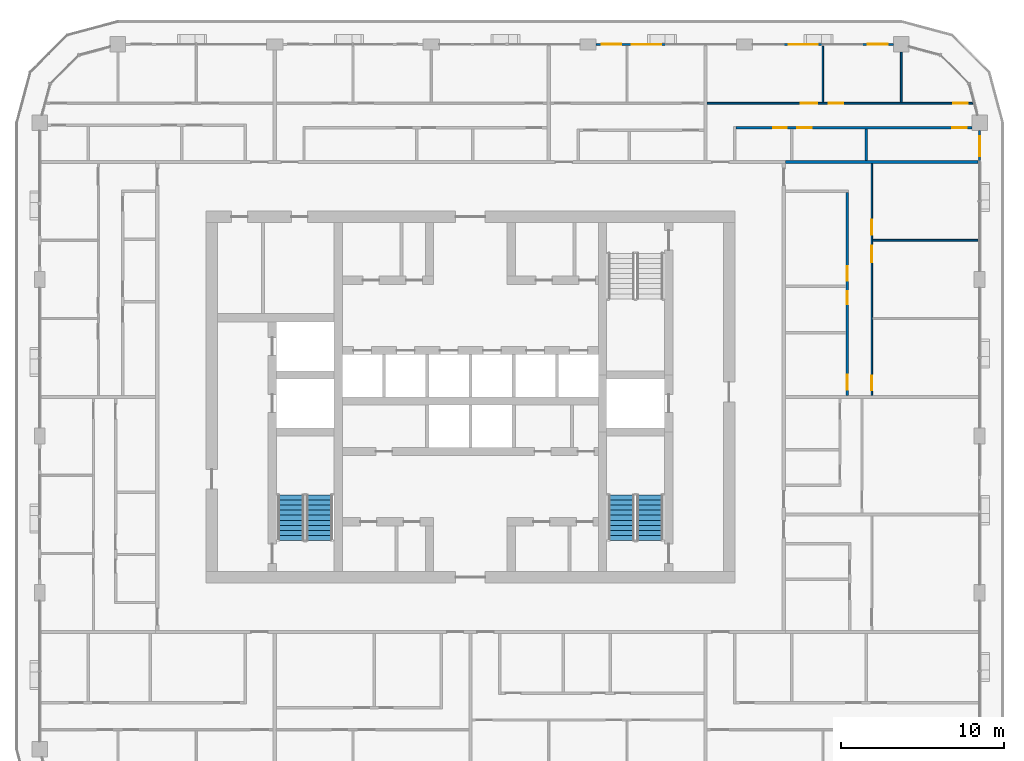
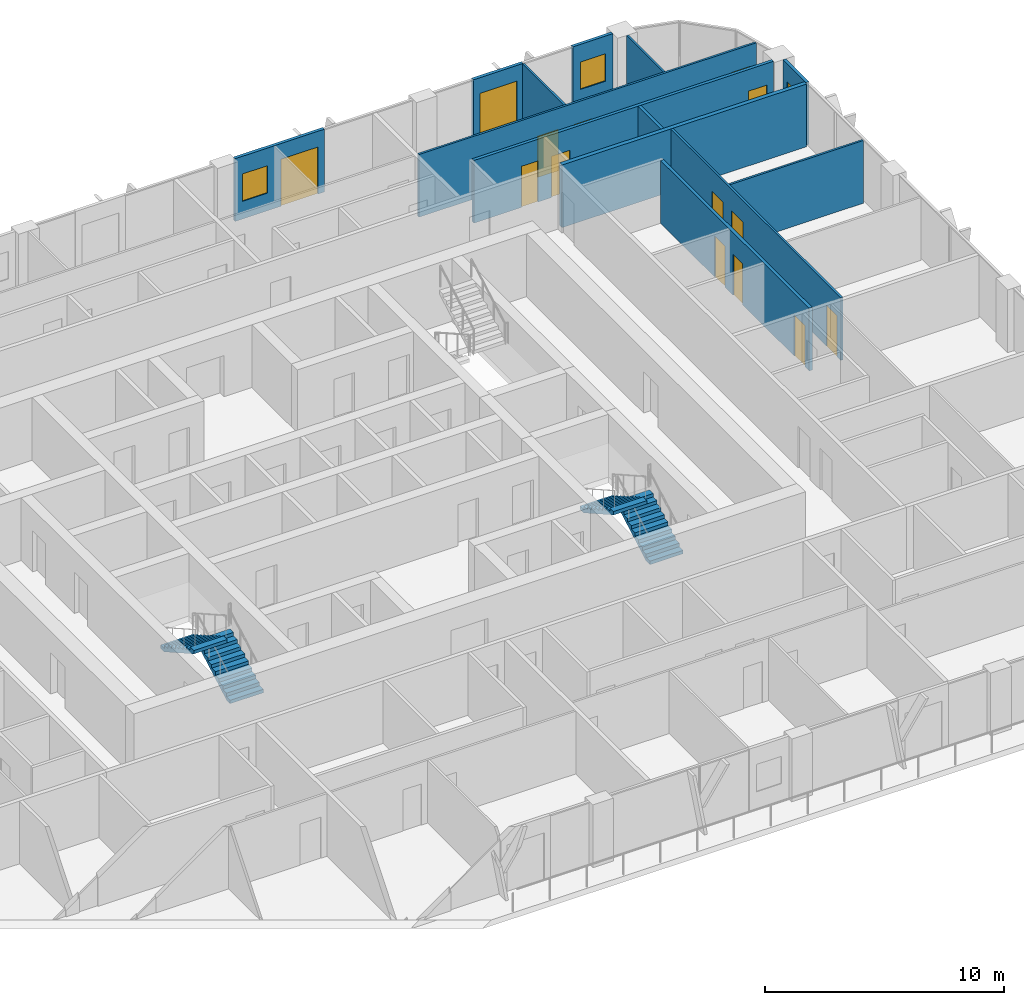
# One storey, part 15 of 22: 14 doors, 13 walls, 4 stair flights, 3 windows, 17 openings, 2 elements without a shape of their own.
"""IFC4 building model written with IfcOpenShell, lengths in metres."""

from ifc_helpers import new_model, si_unit, direction, frame, frame_2d, origin, place, context, subcontext, project, spatial, polyline, rectangle, outline, extrude, material, layer, layer_set, type_object, element, fill, aggregate, save


model = new_model("IFC4")

# Units and contexts
model_context = context("Model", 3, precision=1e-05, world=origin(), true_north=direction((0.0, 1.0)))
body_context = subcontext(model_context, "Body", "Model", "MODEL_VIEW")
ifc_project = project(units=[si_unit("LENGTHUNIT", "METRE"), si_unit("AREAUNIT", "SQUARE_METRE"), si_unit("VOLUMEUNIT", "CUBIC_METRE"), si_unit("PLANEANGLEUNIT", "RADIAN"), si_unit("MASSUNIT", "GRAM", prefix="KILO")], contexts=[model_context])

# Site, building, storey
site_placement = place(None, origin())
site = spatial("IfcSite", under=ifc_project, at=site_placement, CompositionType="ELEMENT")
building_placement = place(site_placement, origin())
building = spatial("IfcBuilding", under=site, at=building_placement, Name="Madar Terraces", CompositionType="ELEMENT")
storey_placement = place(building_placement, frame((0.0, 0.0, 192.89990234375)))
storey = spatial("IfcBuildingStorey", under=building, at=storey_placement, Name="L50", CompositionType="ELEMENT", Elevation=192.89990234375)

# Wall, opening, window
ifc_material_1 = material(Name="Aluminium composite panel, black, over insulated backing", Category="aluminium")
ifc_layer_1 = layer(ifc_material_1, 0.14990234375)
ifc_layer_set_1 = layer_set([ifc_layer_1], Name="Facade bay panel 150")
wall_type_1 = type_object("IfcWallType", Name="Facade bay panel 150", PredefinedType="SOLIDWALL", material=ifc_layer_set_1)
wall_1_placement = place(storey_placement, frame((62.39990234375, 40.800048828125, 0.0), z_axis=(0.0, 0.0, 1.0), x_axis=(0.0, 1.0, 0.0)))
wall_1 = element("IfcWall", 1, at=wall_1_placement, inside=storey, type_object=wall_type_1, Name="Facade bay panel", PredefinedType="SOLIDWALL", context=body_context, shape_type="SweptSolid", body=[
    extrude(rectangle(XDim=1.925048828125, YDim=0.14990234375, at=frame_2d((0.96240234375, 0.0))), origin(), (0.0, 0.0, 1.0), 3.2001953125),
])
opening_1_placement = place(wall_1_placement, frame((0.362548828125, 0.0, 0.89990234375)))
opening_1 = element("IfcOpeningElement", 2, at=opening_1_placement, cuts=wall_1, Name="Opening W1", PredefinedType="OPENING", context=body_context, shape_type="SweptSolid", body=[
    extrude(rectangle(XDim=1.199951171875, YDim=1.39990234375, at=frame_2d((0.60009765625, 0.699951171875))), frame((0.0, 0.0849609375, 0.0), z_axis=(0.0, -1.0, 0.0), x_axis=(1.0, 0.0, 0.0)), (0.0, 0.0, 1.0), 0.169921875),
])
ifc_material_2 = material(Name="Glass, clear, with black aluminium frame", Category="aluminium")
window_type = type_object("IfcWindowType", Name="Vent window 1200 x 1400", PartitioningType="SINGLE_PANEL", PredefinedType="WINDOW", material=ifc_material_2)
window_1_placement = place(opening_1_placement, origin())
window_1 = element("IfcWindow", 3, at=window_1_placement, inside=storey, type_object=window_type, Name="Operable vent window", OverallHeight=1.39990234375, OverallWidth=1.199951171875, PartitioningType="SINGLE_PANEL", PredefinedType="WINDOW", context=body_context, shape_type="SweptSolid", body=[
    extrude(rectangle(XDim=1.199951171875, YDim=1.39990234375, at=frame_2d((0.60009765625, 0.699951171875))), frame((0.0, 0.030029296875, 0.0), z_axis=(0.0, -1.0, 0.0), x_axis=(1.0, 0.0, 0.0)), (0.0, 0.0, 1.0), 0.06005859375),
])
fill(opening_1, window_1)

wall_2_placement = place(storey_placement, frame((57.125, 48.0, 0.0), z_axis=(0.0, 0.0, 1.0), x_axis=(-1.0, 0.0, 0.0)))
wall_2 = element("IfcWall", 4, at=wall_2_placement, inside=storey, type_object=wall_type_1, Name="Facade bay panel", PredefinedType="SOLIDWALL", context=body_context, shape_type="SweptSolid", body=[
    extrude(rectangle(XDim=1.925048828125, YDim=0.14990234375, at=frame_2d((0.96240234375, 0.0))), origin(), (0.0, 0.0, 1.0), 3.2001953125),
])
opening_2_placement = place(wall_2_placement, frame((0.362548828125, 0.0, 0.89990234375)))
opening_2 = element("IfcOpeningElement", 5, at=opening_2_placement, cuts=wall_2, Name="Opening W1", PredefinedType="OPENING", context=body_context, shape_type="SweptSolid", body=[
    extrude(rectangle(XDim=1.199951171875, YDim=1.39990234375, at=frame_2d((0.60009765625, 0.699951171875))), frame((0.0, 0.0849609375, 0.0), z_axis=(0.0, -1.0, 0.0), x_axis=(1.0, 0.0, 0.0)), (0.0, 0.0, 1.0), 0.169921875),
])
window_2_placement = place(opening_2_placement, origin())
window_2 = element("IfcWindow", 6, at=window_2_placement, inside=storey, type_object=window_type, Name="Operable vent window", OverallHeight=1.39990234375, OverallWidth=1.199951171875, PartitioningType="SINGLE_PANEL", PredefinedType="WINDOW", context=body_context, shape_type="SweptSolid", body=[
    extrude(rectangle(XDim=1.199951171875, YDim=1.39990234375, at=frame_2d((0.60009765625, 0.699951171875))), frame((0.0, 0.030029296875, 0.0), z_axis=(0.0, -1.0, 0.0), x_axis=(1.0, 0.0, 0.0)), (0.0, 0.0, 1.0), 0.06005859375),
])
fill(opening_2, window_2)

# Wall, opening, door
wall_3_placement = place(storey_placement, frame((52.800048828125, 48.0, 0.0), z_axis=(0.0, 0.0, 1.0), x_axis=(-1.0, 0.0, 0.0)))
wall_3 = element("IfcWall", 7, at=wall_3_placement, inside=storey, type_object=wall_type_1, Name="Facade bay panel", PredefinedType="SOLIDWALL", context=body_context, shape_type="SweptSolid", body=[
    extrude(rectangle(XDim=2.400146484375, YDim=0.14990234375, at=frame_2d((1.2001953125, 0.0))), origin(), (0.0, 0.0, 1.0), 3.2001953125),
])
opening_3_placement = place(wall_3_placement, frame((0.300048828125, 0.0, 0.0)))
opening_3 = element("IfcOpeningElement", 8, at=opening_3_placement, cuts=wall_3, Name="Opening ED1", PredefinedType="OPENING", context=body_context, shape_type="SweptSolid", body=[
    extrude(rectangle(XDim=1.800048828125, YDim=2.39990234375, at=frame_2d((0.89990234375, 1.199951171875))), frame((0.0, 0.0849609375, 0.0), z_axis=(0.0, -1.0, 0.0), x_axis=(1.0, 0.0, 0.0)), (0.0, 0.0, 1.0), 0.169921875),
])
ifc_material_3 = material(Name="Glass, clear, with black aluminium frame", Category="aluminium")
door_type_1 = type_object("IfcDoorType", Name="Balcony and terrace sliding door 1800 x 2400", OperationType="SLIDING_TO_LEFT", PredefinedType="DOOR", material=ifc_material_3)
door_1_placement = place(opening_3_placement, origin())
door_1 = element("IfcDoor", 9, at=door_1_placement, inside=storey, type_object=door_type_1, Name="Balcony door", OperationType="SLIDING_TO_LEFT", OverallHeight=2.39990234375, OverallWidth=1.800048828125, PredefinedType="DOOR", context=body_context, shape_type="SweptSolid", body=[
    extrude(rectangle(XDim=1.800048828125, YDim=2.39990234375, at=frame_2d((0.89990234375, 1.199951171875))), frame((0.0, 0.02490234375, 0.0), z_axis=(0.0, -1.0, 0.0), x_axis=(1.0, 0.0, 0.0)), (0.0, 0.0, 1.0), 0.050048828125),
])
fill(opening_3, door_1)

# Wall, openings, door, window
wall_4_placement = place(storey_placement, frame((43.199951171875, 48.0, 0.0), z_axis=(0.0, 0.0, 1.0), x_axis=(-1.0, 0.0, 0.0)))
wall_4 = element("IfcWall", 10, at=wall_4_placement, inside=storey, type_object=wall_type_1, Name="Facade bay panel", PredefinedType="SOLIDWALL", context=body_context, shape_type="SweptSolid", body=[
    extrude(rectangle(XDim=4.300048828125, YDim=0.14990234375, at=frame_2d((2.14990234375, 0.0))), origin(), (0.0, 0.0, 1.0), 3.2001953125),
])
opening_4_placement = place(wall_4_placement, frame((0.300048828125, 0.0, 0.0)))
opening_4 = element("IfcOpeningElement", 11, at=opening_4_placement, cuts=wall_4, Name="Opening ED1", PredefinedType="OPENING", context=body_context, shape_type="SweptSolid", body=[
    extrude(rectangle(XDim=1.800048828125, YDim=2.39990234375, at=frame_2d((0.89990234375, 1.199951171875))), frame((0.0, 0.0849609375, 0.0), z_axis=(0.0, -1.0, 0.0), x_axis=(1.0, 0.0, 0.0)), (0.0, 0.0, 1.0), 0.169921875),
])
opening_5_placement = place(wall_4_placement, frame((2.75, 0.0, 0.89990234375)))
opening_5 = element("IfcOpeningElement", 12, at=opening_5_placement, cuts=wall_4, Name="Opening W1", PredefinedType="OPENING", context=body_context, shape_type="SweptSolid", body=[
    extrude(rectangle(XDim=1.199951171875, YDim=1.39990234375, at=frame_2d((0.60009765625, 0.699951171875))), frame((0.0, 0.0849609375, 0.0), z_axis=(0.0, -1.0, 0.0), x_axis=(1.0, 0.0, 0.0)), (0.0, 0.0, 1.0), 0.169921875),
])
door_2_placement = place(opening_4_placement, origin())
door_2 = element("IfcDoor", 13, at=door_2_placement, inside=storey, type_object=door_type_1, Name="Balcony door", OperationType="SLIDING_TO_RIGHT", OverallHeight=2.39990234375, OverallWidth=1.800048828125, PredefinedType="DOOR", context=body_context, shape_type="SweptSolid", body=[
    extrude(rectangle(XDim=1.800048828125, YDim=2.39990234375, at=frame_2d((0.89990234375, 1.199951171875))), frame((0.0, 0.02490234375, 0.0), z_axis=(0.0, -1.0, 0.0), x_axis=(1.0, 0.0, 0.0)), (0.0, 0.0, 1.0), 0.050048828125),
])
fill(opening_4, door_2)
window_3_placement = place(opening_5_placement, origin())
window_3 = element("IfcWindow", 14, at=window_3_placement, inside=storey, type_object=window_type, Name="Operable vent window", OverallHeight=1.39990234375, OverallWidth=1.199951171875, PartitioningType="SINGLE_PANEL", PredefinedType="WINDOW", context=body_context, shape_type="SweptSolid", body=[
    extrude(rectangle(XDim=1.199951171875, YDim=1.39990234375, at=frame_2d((0.60009765625, 0.699951171875))), frame((0.0, 0.030029296875, 0.0), z_axis=(0.0, -1.0, 0.0), x_axis=(1.0, 0.0, 0.0)), (0.0, 0.0, 1.0), 0.06005859375),
])
fill(opening_5, window_3)

# Wall
ifc_material_4 = material(Name="Gypsum board on steel studs", Category="steel")
ifc_layer_2 = layer(ifc_material_4, 0.10009765625)
ifc_layer_set_2 = layer_set([ifc_layer_2], Name="Flat partition 100")
wall_type_2 = type_object("IfcWallType", Name="Flat partition 100", PredefinedType="PARTITIONING", material=ifc_layer_set_2)
wall_5_placement = place(storey_placement, frame((55.85009765625, 36.0, 0.0), z_axis=(0.0, 0.0, 1.0), x_axis=(1.0, 0.0, 0.0)))
element("IfcWall", 15, at=wall_5_placement, inside=storey, type_object=wall_type_2, Name="Flat partition 100", PredefinedType="PARTITIONING", context=body_context, shape_type="SweptSolid", body=[
    extrude(rectangle(XDim=6.449951171875, YDim=0.10009765625, at=frame_2d((3.22509765625, 0.0))), origin(), (0.0, 0.0, 1.0), 3.2001953125),
])

# Wall, openings, doors
wall_6_placement = place(storey_placement, frame((55.800048828125, 40.699951171875, 0.0), z_axis=(0.0, 0.0, 1.0), x_axis=(0.0, -1.0, 0.0)))
wall_6 = element("IfcWall", 16, at=wall_6_placement, inside=storey, type_object=wall_type_2, Name="Flat partition 100", PredefinedType="PARTITIONING", context=body_context, shape_type="SweptSolid", body=[
    extrude(rectangle(XDim=14.199951171875, YDim=0.10009765625, at=frame_2d((7.10009765625, 0.0))), origin(), (0.0, 0.0, 1.0), 3.2001953125),
])
opening_6_placement = place(wall_6_placement, frame((3.449951171875, 0.0, 0.0)))
opening_6 = element("IfcOpeningElement", 17, at=opening_6_placement, cuts=wall_6, Name="Opening D2", PredefinedType="OPENING", context=body_context, shape_type="SweptSolid", body=[
    extrude(rectangle(XDim=0.89990234375, YDim=2.10009765625, at=frame_2d((0.449951171875, 1.050048828125))), frame((0.0, 0.06005859375, 0.0), z_axis=(0.0, -1.0, 0.0), x_axis=(1.0, 0.0, 0.0)), (0.0, 0.0, 1.0), 0.1201171875),
])
opening_7_placement = place(wall_6_placement, frame((5.050048828125, 0.0, 0.0)))
opening_7 = element("IfcOpeningElement", 18, at=opening_7_placement, cuts=wall_6, Name="Opening D3", PredefinedType="OPENING", context=body_context, shape_type="SweptSolid", body=[
    extrude(rectangle(XDim=1.0, YDim=2.10009765625, at=frame_2d((0.5, 1.050048828125))), frame((0.0, 0.06005859375, 0.0), z_axis=(0.0, -1.0, 0.0), x_axis=(1.0, 0.0, 0.0)), (0.0, 0.0, 1.0), 0.1201171875),
])
opening_8_placement = place(wall_6_placement, frame((13.0, 0.0, 0.0)))
opening_8 = element("IfcOpeningElement", 19, at=opening_8_placement, cuts=wall_6, Name="Opening D2", PredefinedType="OPENING", context=body_context, shape_type="SweptSolid", body=[
    extrude(rectangle(XDim=0.89990234375, YDim=2.10009765625, at=frame_2d((0.449951171875, 1.050048828125))), frame((0.0, 0.06005859375, 0.0), z_axis=(0.0, -1.0, 0.0), x_axis=(1.0, 0.0, 0.0)), (0.0, 0.0, 1.0), 0.1201171875),
])
ifc_material_5 = material(Name="Timber door leaf", Category="wood")
door_type_2 = type_object("IfcDoorType", Name="Flat living room door 1000", OperationType="NOTDEFINED", PredefinedType="DOOR", material=ifc_material_5)
door_3_placement = place(opening_7_placement, origin())
door_3 = element("IfcDoor", 20, at=door_3_placement, inside=storey, type_object=door_type_2, Name="Flat living room door 1000", OperationType="SINGLE_SWING_LEFT", OverallHeight=2.10009765625, OverallWidth=1.0, PredefinedType="DOOR", context=body_context, shape_type="SweptSolid", body=[
    extrude(rectangle(XDim=1.0, YDim=2.10009765625, at=frame_2d((0.5, 1.050048828125))), frame((0.0, 0.02490234375, 0.0), z_axis=(0.0, -1.0, 0.0), x_axis=(1.0, 0.0, 0.0)), (0.0, 0.0, 1.0), 0.050048828125),
])
fill(opening_7, door_3)
ifc_material_6 = material(Name="Timber door leaf", Category="wood")
door_type_3 = type_object("IfcDoorType", Name="Flat room door 900", OperationType="NOTDEFINED", PredefinedType="DOOR", material=ifc_material_6)
door_4_placement = place(opening_6_placement, origin())
door_4 = element("IfcDoor", 21, at=door_4_placement, inside=storey, type_object=door_type_3, Name="Flat room door 900", OperationType="SINGLE_SWING_RIGHT", OverallHeight=2.10009765625, OverallWidth=0.89990234375, PredefinedType="DOOR", context=body_context, shape_type="SweptSolid", body=[
    extrude(rectangle(XDim=0.89990234375, YDim=2.10009765625, at=frame_2d((0.449951171875, 1.050048828125))), frame((0.0, 0.02490234375, 0.0), z_axis=(0.0, -1.0, 0.0), x_axis=(1.0, 0.0, 0.0)), (0.0, 0.0, 1.0), 0.050048828125),
])
fill(opening_6, door_4)
door_5_placement = place(opening_8_placement, origin())
door_5 = element("IfcDoor", 22, at=door_5_placement, inside=storey, type_object=door_type_3, Name="Flat room door 900", OperationType="SINGLE_SWING_RIGHT", OverallHeight=2.10009765625, OverallWidth=0.89990234375, PredefinedType="DOOR", context=body_context, shape_type="SweptSolid", body=[
    extrude(rectangle(XDim=0.89990234375, YDim=2.10009765625, at=frame_2d((0.449951171875, 1.050048828125))), frame((0.0, 0.02490234375, 0.0), z_axis=(0.0, -1.0, 0.0), x_axis=(1.0, 0.0, 0.0)), (0.0, 0.0, 1.0), 0.050048828125),
])
fill(opening_8, door_5)

# Walls
wall_7_placement = place(storey_placement, frame((52.800048828125, 44.449951171875, 0.0), z_axis=(0.0, 0.0, 1.0), x_axis=(0.0, 1.0, 0.0)))
element("IfcWall", 23, at=wall_7_placement, inside=storey, type_object=wall_type_2, Name="Flat partition 100", PredefinedType="PARTITIONING", context=body_context, shape_type="SweptSolid", body=[
    extrude(rectangle(XDim=3.449951171875, YDim=0.10009765625, at=frame_2d((1.72509765625, 0.0))), origin(), (0.0, 0.0, 1.0), 3.2001953125),
])
wall_8_placement = place(storey_placement, frame((57.60009765625, 44.449951171875, 0.0), z_axis=(0.0, 0.0, 1.0), x_axis=(0.0, 1.0, 0.0)))
element("IfcWall", 24, at=wall_8_placement, inside=storey, type_object=wall_type_2, Name="Flat partition 100", PredefinedType="PARTITIONING", context=body_context, shape_type="SweptSolid", body=[
    extrude(rectangle(XDim=3.074951171875, YDim=0.10009765625, at=frame_2d((1.53759765625, 0.0))), origin(), (0.0, 0.0, 1.0), 3.2001953125),
])

# Wall, openings, doors
wall_9_placement = place(storey_placement, frame((45.699951171875, 44.39990234375, 0.0), z_axis=(0.0, 0.0, 1.0), x_axis=(1.0, 0.0, 0.0)))
wall_9 = element("IfcWall", 25, at=wall_9_placement, inside=storey, type_object=wall_type_2, Name="Flat partition 100", PredefinedType="PARTITIONING", context=body_context, shape_type="SweptSolid", body=[
    extrude(rectangle(XDim=16.278564453125, YDim=0.10009765625, at=frame_2d((8.13916015625, 0.0))), origin(), (0.0, 0.0, 1.0), 3.2001953125),
])
opening_9_placement = place(wall_9_placement, frame((5.75, 0.0, 0.0)))
opening_9 = element("IfcOpeningElement", 26, at=opening_9_placement, cuts=wall_9, Name="Opening D3", PredefinedType="OPENING", context=body_context, shape_type="SweptSolid", body=[
    extrude(rectangle(XDim=1.0, YDim=2.10009765625, at=frame_2d((0.5, 1.050048828125))), frame((0.0, 0.06005859375, 0.0), z_axis=(0.0, -1.0, 0.0), x_axis=(1.0, 0.0, 0.0)), (0.0, 0.0, 1.0), 0.1201171875),
])
opening_10_placement = place(wall_9_placement, frame((7.449951171875, 0.0, 0.0)))
opening_10 = element("IfcOpeningElement", 27, at=opening_10_placement, cuts=wall_9, Name="Opening D2", PredefinedType="OPENING", context=body_context, shape_type="SweptSolid", body=[
    extrude(rectangle(XDim=0.89990234375, YDim=2.10009765625, at=frame_2d((0.449951171875, 1.050048828125))), frame((0.0, 0.06005859375, 0.0), z_axis=(0.0, -1.0, 0.0), x_axis=(1.0, 0.0, 0.0)), (0.0, 0.0, 1.0), 0.1201171875),
])
opening_11_placement = place(wall_9_placement, frame((15.07861328125, 0.0, 0.0)))
opening_11 = element("IfcOpeningElement", 28, at=opening_11_placement, cuts=wall_9, Name="Opening D2", PredefinedType="OPENING", context=body_context, shape_type="SweptSolid", body=[
    extrude(rectangle(XDim=0.89990234375, YDim=2.10009765625, at=frame_2d((0.449951171875, 1.050048828125))), frame((0.0, 0.06005859375, 0.0), z_axis=(0.0, -1.0, 0.0), x_axis=(1.0, 0.0, 0.0)), (0.0, 0.0, 1.0), 0.1201171875),
])
door_6_placement = place(opening_9_placement, origin())
door_6 = element("IfcDoor", 29, at=door_6_placement, inside=storey, type_object=door_type_2, Name="Flat living room door 1000", OperationType="SINGLE_SWING_RIGHT", OverallHeight=2.10009765625, OverallWidth=1.0, PredefinedType="DOOR", context=body_context, shape_type="SweptSolid", body=[
    extrude(rectangle(XDim=1.0, YDim=2.10009765625, at=frame_2d((0.5, 1.050048828125))), frame((0.0, 0.02490234375, 0.0), z_axis=(0.0, -1.0, 0.0), x_axis=(1.0, 0.0, 0.0)), (0.0, 0.0, 1.0), 0.050048828125),
])
fill(opening_9, door_6)
door_7_placement = place(opening_10_placement, origin())
door_7 = element("IfcDoor", 30, at=door_7_placement, inside=storey, type_object=door_type_3, Name="Flat room door 900", OperationType="SINGLE_SWING_LEFT", OverallHeight=2.10009765625, OverallWidth=0.89990234375, PredefinedType="DOOR", context=body_context, shape_type="SweptSolid", body=[
    extrude(rectangle(XDim=0.89990234375, YDim=2.10009765625, at=frame_2d((0.449951171875, 1.050048828125))), frame((0.0, 0.02490234375, 0.0), z_axis=(0.0, -1.0, 0.0), x_axis=(1.0, 0.0, 0.0)), (0.0, 0.0, 1.0), 0.050048828125),
])
fill(opening_10, door_7)
door_8_placement = place(opening_11_placement, origin())
door_8 = element("IfcDoor", 31, at=door_8_placement, inside=storey, type_object=door_type_3, Name="Flat room door 900", OperationType="SINGLE_SWING_RIGHT", OverallHeight=2.10009765625, OverallWidth=0.89990234375, PredefinedType="DOOR", context=body_context, shape_type="SweptSolid", body=[
    extrude(rectangle(XDim=0.89990234375, YDim=2.10009765625, at=frame_2d((0.449951171875, 1.050048828125))), frame((0.0, 0.02490234375, 0.0), z_axis=(0.0, -1.0, 0.0), x_axis=(1.0, 0.0, 0.0)), (0.0, 0.0, 1.0), 0.050048828125),
])
fill(opening_11, door_8)

# Wall
ifc_material_7 = material(Name="Lightweight blockwork", Category="masonry")
ifc_layer_3 = layer(ifc_material_7, 0.199951171875)
ifc_layer_set_3 = layer_set([ifc_layer_3], Name="Flat party and entrance wall 200")
wall_type_3 = type_object("IfcWallType", Name="Flat party and entrance wall 200", PredefinedType="PARTITIONING", material=ifc_layer_set_3)
wall_10_placement = place(storey_placement, frame((50.5, 40.800048828125, 0.0), z_axis=(0.0, 0.0, 1.0), x_axis=(1.0, 0.0, 0.0)))
element("IfcWall", 32, at=wall_10_placement, inside=storey, type_object=wall_type_3, Name="Flat party and entrance wall 200", PredefinedType="PARTITIONING", context=body_context, shape_type="SweptSolid", body=[
    extrude(rectangle(XDim=11.800048828125, YDim=0.199951171875, at=frame_2d((5.89990234375, 0.0))), origin(), (0.0, 0.0, 1.0), 3.2001953125),
])

# Wall, openings, doors
ifc_material_8 = material(Name="Lightweight blockwork", Category="masonry")
ifc_layer_4 = layer(ifc_material_8, 0.14990234375)
ifc_layer_set_4 = layer_set([ifc_layer_4], Name="Flat wet-room partition 150")
wall_type_4 = type_object("IfcWallType", Name="Flat wet-room partition 150", PredefinedType="PARTITIONING", material=ifc_layer_set_4)
wall_11_placement = place(storey_placement, frame((54.300048828125, 26.5, 0.0), z_axis=(0.0, 0.0, 1.0), x_axis=(0.0, 1.0, 0.0)))
wall_11 = element("IfcWall", 33, at=wall_11_placement, inside=storey, type_object=wall_type_4, Name="Flat wet-room partition 150", PredefinedType="PARTITIONING", context=body_context, shape_type="SweptSolid", body=[
    extrude(rectangle(XDim=12.425048828125, YDim=0.14990234375, at=frame_2d((6.21240234375, 0.0))), origin(), (0.0, 0.0, 1.0), 3.2001953125),
])
opening_12_placement = place(wall_11_placement, frame((7.015380859375, 0.0, 0.0)))
opening_12 = element("IfcOpeningElement", 34, at=opening_12_placement, cuts=wall_11, Name="Opening D2", PredefinedType="OPENING", context=body_context, shape_type="SweptSolid", body=[
    extrude(rectangle(XDim=0.89990234375, YDim=2.10009765625, at=frame_2d((0.449951171875, 1.050048828125))), frame((0.0, 0.0849609375, 0.0), z_axis=(0.0, -1.0, 0.0), x_axis=(1.0, 0.0, 0.0)), (0.0, 0.0, 1.0), 0.169921875),
])
opening_13_placement = place(wall_11_placement, frame((5.5654296875, 0.0, 0.0)))
opening_13 = element("IfcOpeningElement", 35, at=opening_13_placement, cuts=wall_11, Name="Opening D4", PredefinedType="OPENING", context=body_context, shape_type="SweptSolid", body=[
    extrude(rectangle(XDim=0.800048828125, YDim=2.10009765625, at=frame_2d((0.39990234375, 1.050048828125))), frame((0.0, 0.0849609375, 0.0), z_axis=(0.0, -1.0, 0.0), x_axis=(1.0, 0.0, 0.0)), (0.0, 0.0, 1.0), 0.169921875),
])
opening_14_placement = place(wall_11_placement, frame((0.35009765625, 0.0, 0.0)))
opening_14 = element("IfcOpeningElement", 36, at=opening_14_placement, cuts=wall_11, Name="Opening D5", PredefinedType="OPENING", context=body_context, shape_type="SweptSolid", body=[
    extrude(rectangle(XDim=0.89990234375, YDim=2.10009765625, at=frame_2d((0.449951171875, 1.050048828125))), frame((0.0, 0.0849609375, 0.0), z_axis=(0.0, -1.0, 0.0), x_axis=(1.0, 0.0, 0.0)), (0.0, 0.0, 1.0), 0.169921875),
])
ifc_material_9 = material(Name="Timber door leaf", Category="wood")
door_type_4 = type_object("IfcDoorType", Name="Flat accessible bathroom door 900", OperationType="NOTDEFINED", PredefinedType="DOOR", material=ifc_material_9)
door_9_placement = place(opening_14_placement, origin())
door_9 = element("IfcDoor", 37, at=door_9_placement, inside=storey, type_object=door_type_4, Name="Flat accessible bathroom door 900", OperationType="SINGLE_SWING_LEFT", OverallHeight=2.10009765625, OverallWidth=0.89990234375, PredefinedType="DOOR", context=body_context, shape_type="SweptSolid", body=[
    extrude(rectangle(XDim=0.89990234375, YDim=2.10009765625, at=frame_2d((0.449951171875, 1.050048828125))), frame((0.0, 0.02490234375, 0.0), z_axis=(0.0, -1.0, 0.0), x_axis=(1.0, 0.0, 0.0)), (0.0, 0.0, 1.0), 0.050048828125),
])
fill(opening_14, door_9)
ifc_material_10 = material(Name="Timber door leaf", Category="wood")
door_type_5 = type_object("IfcDoorType", Name="Flat bathroom door 800", OperationType="NOTDEFINED", PredefinedType="DOOR", material=ifc_material_10)
door_10_placement = place(opening_13_placement, origin())
door_10 = element("IfcDoor", 38, at=door_10_placement, inside=storey, type_object=door_type_5, Name="Flat bathroom door 800", OperationType="SINGLE_SWING_RIGHT", OverallHeight=2.10009765625, OverallWidth=0.800048828125, PredefinedType="DOOR", context=body_context, shape_type="SweptSolid", body=[
    extrude(rectangle(XDim=0.800048828125, YDim=2.10009765625, at=frame_2d((0.39990234375, 1.050048828125))), frame((0.0, 0.02490234375, 0.0), z_axis=(0.0, -1.0, 0.0), x_axis=(1.0, 0.0, 0.0)), (0.0, 0.0, 1.0), 0.050048828125),
])
fill(opening_13, door_10)
door_11_placement = place(opening_12_placement, origin())
door_11 = element("IfcDoor", 39, at=door_11_placement, inside=storey, type_object=door_type_3, Name="Flat room door 900", OperationType="SINGLE_SWING_LEFT", OverallHeight=2.10009765625, OverallWidth=0.89990234375, PredefinedType="DOOR", context=body_context, shape_type="SweptSolid", body=[
    extrude(rectangle(XDim=0.89990234375, YDim=2.10009765625, at=frame_2d((0.449951171875, 1.050048828125))), frame((0.0, 0.02490234375, 0.0), z_axis=(0.0, -1.0, 0.0), x_axis=(1.0, 0.0, 0.0)), (0.0, 0.0, 1.0), 0.050048828125),
])
fill(opening_12, door_11)

# Wall
wall_12_placement = place(storey_placement, frame((55.457763671875, 40.89990234375, 0.0), z_axis=(0.0, 0.0, 1.0), x_axis=(0.0, 1.0, 0.0)))
element("IfcWall", 40, at=wall_12_placement, inside=storey, type_object=wall_type_4, Name="Flat wet-room partition 150", PredefinedType="PARTITIONING", context=body_context, shape_type="SweptSolid", body=[
    extrude(rectangle(XDim=1.925048828125, YDim=0.14990234375, at=frame_2d((0.96240234375, 0.0))), origin(), (0.0, 0.0, 1.0), 3.2001953125),
])

# Wall, openings, doors
wall_13_placement = place(storey_placement, frame((61.925048828125, 42.89990234375, 0.0), z_axis=(0.0, 0.0, 1.0), x_axis=(-1.0, 0.0, 0.0)))
wall_13 = element("IfcWall", 41, at=wall_13_placement, inside=storey, type_object=wall_type_4, Name="Flat wet-room partition 150", PredefinedType="PARTITIONING", context=body_context, shape_type="SweptSolid", body=[
    extrude(rectangle(XDim=14.449951171875, YDim=0.14990234375, at=frame_2d((7.22509765625, 0.0))), origin(), (0.0, 0.0, 1.0), 3.2001953125),
])
opening_15_placement = place(wall_13_placement, frame((11.353759765625, 0.0, 0.0)))
opening_15 = element("IfcOpeningElement", 42, at=opening_15_placement, cuts=wall_13, Name="Opening D4", PredefinedType="OPENING", context=body_context, shape_type="SweptSolid", body=[
    extrude(rectangle(XDim=0.800048828125, YDim=2.10009765625, at=frame_2d((0.39990234375, 1.050048828125))), frame((0.0, 0.0849609375, 0.0), z_axis=(0.0, -1.0, 0.0), x_axis=(1.0, 0.0, 0.0)), (0.0, 0.0, 1.0), 0.169921875),
])
opening_16_placement = place(wall_13_placement, frame((9.8037109375, 0.0, 0.0)))
opening_16 = element("IfcOpeningElement", 43, at=opening_16_placement, cuts=wall_13, Name="Opening D5", PredefinedType="OPENING", context=body_context, shape_type="SweptSolid", body=[
    extrude(rectangle(XDim=0.89990234375, YDim=2.10009765625, at=frame_2d((0.449951171875, 1.050048828125))), frame((0.0, 0.0849609375, 0.0), z_axis=(0.0, -1.0, 0.0), x_axis=(1.0, 0.0, 0.0)), (0.0, 0.0, 1.0), 0.169921875),
])
opening_17_placement = place(wall_13_placement, frame((0.300048828125, 0.0, 0.0)))
opening_17 = element("IfcOpeningElement", 44, at=opening_17_placement, cuts=wall_13, Name="Opening D2", PredefinedType="OPENING", context=body_context, shape_type="SweptSolid", body=[
    extrude(rectangle(XDim=0.89990234375, YDim=2.10009765625, at=frame_2d((0.449951171875, 1.050048828125))), frame((0.0, 0.0849609375, 0.0), z_axis=(0.0, -1.0, 0.0), x_axis=(1.0, 0.0, 0.0)), (0.0, 0.0, 1.0), 0.169921875),
])
door_12_placement = place(opening_16_placement, origin())
door_12 = element("IfcDoor", 45, at=door_12_placement, inside=storey, type_object=door_type_4, Name="Flat accessible bathroom door 900", OperationType="SINGLE_SWING_RIGHT", OverallHeight=2.10009765625, OverallWidth=0.89990234375, PredefinedType="DOOR", context=body_context, shape_type="SweptSolid", body=[
    extrude(rectangle(XDim=0.89990234375, YDim=2.10009765625, at=frame_2d((0.449951171875, 1.050048828125))), frame((0.0, 0.02490234375, 0.0), z_axis=(0.0, -1.0, 0.0), x_axis=(1.0, 0.0, 0.0)), (0.0, 0.0, 1.0), 0.050048828125),
])
fill(opening_16, door_12)
door_13_placement = place(opening_15_placement, origin())
door_13 = element("IfcDoor", 46, at=door_13_placement, inside=storey, type_object=door_type_5, Name="Flat bathroom door 800", OperationType="SINGLE_SWING_LEFT", OverallHeight=2.10009765625, OverallWidth=0.800048828125, PredefinedType="DOOR", context=body_context, shape_type="SweptSolid", body=[
    extrude(rectangle(XDim=0.800048828125, YDim=2.10009765625, at=frame_2d((0.39990234375, 1.050048828125))), frame((0.0, 0.02490234375, 0.0), z_axis=(0.0, -1.0, 0.0), x_axis=(1.0, 0.0, 0.0)), (0.0, 0.0, 1.0), 0.050048828125),
])
fill(opening_15, door_13)
door_14_placement = place(opening_17_placement, origin())
door_14 = element("IfcDoor", 47, at=door_14_placement, inside=storey, type_object=door_type_3, Name="Flat room door 900", OperationType="SINGLE_SWING_LEFT", OverallHeight=2.10009765625, OverallWidth=0.89990234375, PredefinedType="DOOR", context=body_context, shape_type="SweptSolid", body=[
    extrude(rectangle(XDim=0.89990234375, YDim=2.10009765625, at=frame_2d((0.449951171875, 1.050048828125))), frame((0.0, 0.02490234375, 0.0), z_axis=(0.0, -1.0, 0.0), x_axis=(1.0, 0.0, 0.0)), (0.0, 0.0, 1.0), 0.050048828125),
])
fill(opening_17, door_14)

# Stair, stair flights
ifc_material_11 = material(Name="Concrete C50/60", Category="concrete")
stair_type_1 = type_object("IfcStairType", Name="Stair ST1 protected exit", PredefinedType="HALF_TURN_STAIR", material=ifc_material_11)
stair_1_placement = place(storey_placement, origin())
stair_1 = element("IfcStair", 48, at=stair_1_placement, inside=storey, type_object=stair_type_1, Name="L50 Protected Exit Stair ST1", PredefinedType="HALF_TURN_STAIR")
ifc_material_12 = material(Name="Concrete C50/60", Category="concrete")
stair_flight_type_1 = type_object("IfcStairFlightType", Name="Stair flight ST1-F4, 1600 wide, 10 risers", PredefinedType="STRAIGHT", material=ifc_material_12)
stair_flight_1_placement = place(storey_placement, frame((21.949951171875, 17.60009765625, 0.0), z_axis=(0.0, 0.0, 1.0), x_axis=(0.0, 1.0, 0.0)))
stair_flight_1 = element("IfcStairFlight", 49, at=stair_flight_1_placement, type_object=stair_flight_type_1, Name="ST1 flight 1", NumberOfRisers=10, NumberOfTreads=9, PredefinedType="STRAIGHT", RiserHeight=0.175, TreadLength=0.31, context=body_context, shape_type="SweptSolid", body=[
    extrude(outline(polyline([(0.0, 0.0), (0.0, 0.175048828125), (0.31005859375, 0.175048828125), (0.31005859375, 0.35009765625), (0.6201171875, 0.35009765625), (0.6201171875, 0.52490234375), (0.929931640625, 0.52490234375), (0.929931640625, 0.699951171875), (1.239990234375, 0.699951171875), (1.239990234375, 0.875), (1.550048828125, 0.875), (1.550048828125, 1.050048828125), (1.860107421875, 1.050048828125), (1.860107421875, 1.22509765625), (2.169921875, 1.22509765625), (2.169921875, 1.39990234375), (2.47998046875, 1.39990234375), (2.47998046875, 1.574951171875), (2.7900390625, 1.574951171875), (2.7900390625, 1.75), (2.7900390625, 1.40283203125), (0.304931640625, 0.0), (0.0, 0.0)])), frame((0.0, 0.800048828125, 0.0), z_axis=(0.0, -1.0, 0.0), x_axis=(1.0, 0.0, 0.0)), (0.0, 0.0, 1.0), 1.60009765625),
])
stair_flight_2_placement = place(storey_placement, frame((20.199951171875, 20.389892578125, 1.75), z_axis=(0.0, 0.0, 1.0), x_axis=(0.0, -1.0, 0.0)))
stair_flight_2 = element("IfcStairFlight", 50, at=stair_flight_2_placement, type_object=stair_flight_type_1, Name="ST1 flight 2", NumberOfRisers=10, NumberOfTreads=9, PredefinedType="STRAIGHT", RiserHeight=0.175, TreadLength=0.31, context=body_context, shape_type="SweptSolid", body=[
    extrude(outline(polyline([(0.0, 0.0), (0.0, 0.175048828125), (0.31005859375, 0.175048828125), (0.31005859375, 0.35009765625), (0.6201171875, 0.35009765625), (0.6201171875, 0.52490234375), (0.929931640625, 0.52490234375), (0.929931640625, 0.699951171875), (1.239990234375, 0.699951171875), (1.239990234375, 0.875), (1.550048828125, 0.875), (1.550048828125, 1.050048828125), (1.860107421875, 1.050048828125), (1.860107421875, 1.22509765625), (2.169921875, 1.22509765625), (2.169921875, 1.39990234375), (2.47998046875, 1.39990234375), (2.47998046875, 1.574951171875), (2.7900390625, 1.574951171875), (2.7900390625, 1.75), (2.7900390625, 1.40283203125), (0.304931640625, 0.0), (0.0, 0.0)])), frame((0.0, 0.800048828125, 0.0), z_axis=(0.0, -1.0, 0.0), x_axis=(1.0, 0.0, 0.0)), (0.0, 0.0, 1.0), 1.60009765625),
])
aggregate(stair_1, [stair_flight_1, stair_flight_2])

ifc_material_13 = material(Name="Concrete C50/60", Category="concrete")
stair_type_2 = type_object("IfcStairType", Name="Stair ST3 protected exit", PredefinedType="HALF_TURN_STAIR", material=ifc_material_13)
stair_2_placement = place(storey_placement, origin())
stair_2 = element("IfcStair", 51, at=stair_2_placement, inside=storey, type_object=stair_type_2, Name="L50 Protected Exit Stair ST3", PredefinedType="HALF_TURN_STAIR")
ifc_material_14 = material(Name="Concrete C50/60", Category="concrete")
stair_flight_type_2 = type_object("IfcStairFlightType", Name="Stair flight ST3-F4, 1600 wide, 10 risers", PredefinedType="STRAIGHT", material=ifc_material_14)
stair_flight_3_placement = place(storey_placement, frame((42.199951171875, 17.60009765625, 0.0), z_axis=(0.0, 0.0, 1.0), x_axis=(0.0, 1.0, 0.0)))
stair_flight_3 = element("IfcStairFlight", 52, at=stair_flight_3_placement, type_object=stair_flight_type_2, Name="ST3 flight 1", NumberOfRisers=10, NumberOfTreads=9, PredefinedType="STRAIGHT", RiserHeight=0.175, TreadLength=0.31, context=body_context, shape_type="SweptSolid", body=[
    extrude(outline(polyline([(0.0, 0.0), (0.0, 0.175048828125), (0.31005859375, 0.175048828125), (0.31005859375, 0.35009765625), (0.6201171875, 0.35009765625), (0.6201171875, 0.52490234375), (0.929931640625, 0.52490234375), (0.929931640625, 0.699951171875), (1.239990234375, 0.699951171875), (1.239990234375, 0.875), (1.550048828125, 0.875), (1.550048828125, 1.050048828125), (1.860107421875, 1.050048828125), (1.860107421875, 1.22509765625), (2.169921875, 1.22509765625), (2.169921875, 1.39990234375), (2.47998046875, 1.39990234375), (2.47998046875, 1.574951171875), (2.7900390625, 1.574951171875), (2.7900390625, 1.75), (2.7900390625, 1.40283203125), (0.304931640625, 0.0), (0.0, 0.0)])), frame((0.0, 0.800048828125, 0.0), z_axis=(0.0, -1.0, 0.0), x_axis=(1.0, 0.0, 0.0)), (0.0, 0.0, 1.0), 1.60009765625),
])
stair_flight_4_placement = place(storey_placement, frame((40.449951171875, 20.389892578125, 1.75), z_axis=(0.0, 0.0, 1.0), x_axis=(0.0, -1.0, 0.0)))
stair_flight_4 = element("IfcStairFlight", 53, at=stair_flight_4_placement, type_object=stair_flight_type_2, Name="ST3 flight 2", NumberOfRisers=10, NumberOfTreads=9, PredefinedType="STRAIGHT", RiserHeight=0.175, TreadLength=0.31, context=body_context, shape_type="SweptSolid", body=[
    extrude(outline(polyline([(0.0, 0.0), (0.0, 0.175048828125), (0.31005859375, 0.175048828125), (0.31005859375, 0.35009765625), (0.6201171875, 0.35009765625), (0.6201171875, 0.52490234375), (0.929931640625, 0.52490234375), (0.929931640625, 0.699951171875), (1.239990234375, 0.699951171875), (1.239990234375, 0.875), (1.550048828125, 0.875), (1.550048828125, 1.050048828125), (1.860107421875, 1.050048828125), (1.860107421875, 1.22509765625), (2.169921875, 1.22509765625), (2.169921875, 1.39990234375), (2.47998046875, 1.39990234375), (2.47998046875, 1.574951171875), (2.7900390625, 1.574951171875), (2.7900390625, 1.75), (2.7900390625, 1.40283203125), (0.304931640625, 0.0), (0.0, 0.0)])), frame((0.0, 0.800048828125, 0.0), z_axis=(0.0, -1.0, 0.0), x_axis=(1.0, 0.0, 0.0)), (0.0, 0.0, 1.0), 1.60009765625),
])
aggregate(stair_2, [stair_flight_3, stair_flight_4])

save(model, "model.ifc")
